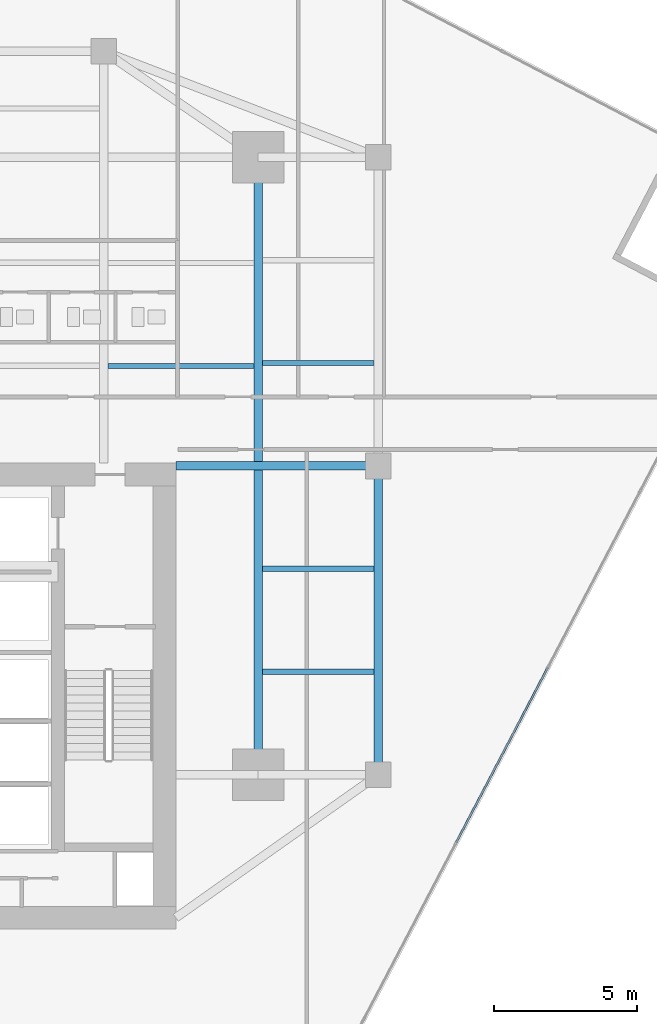
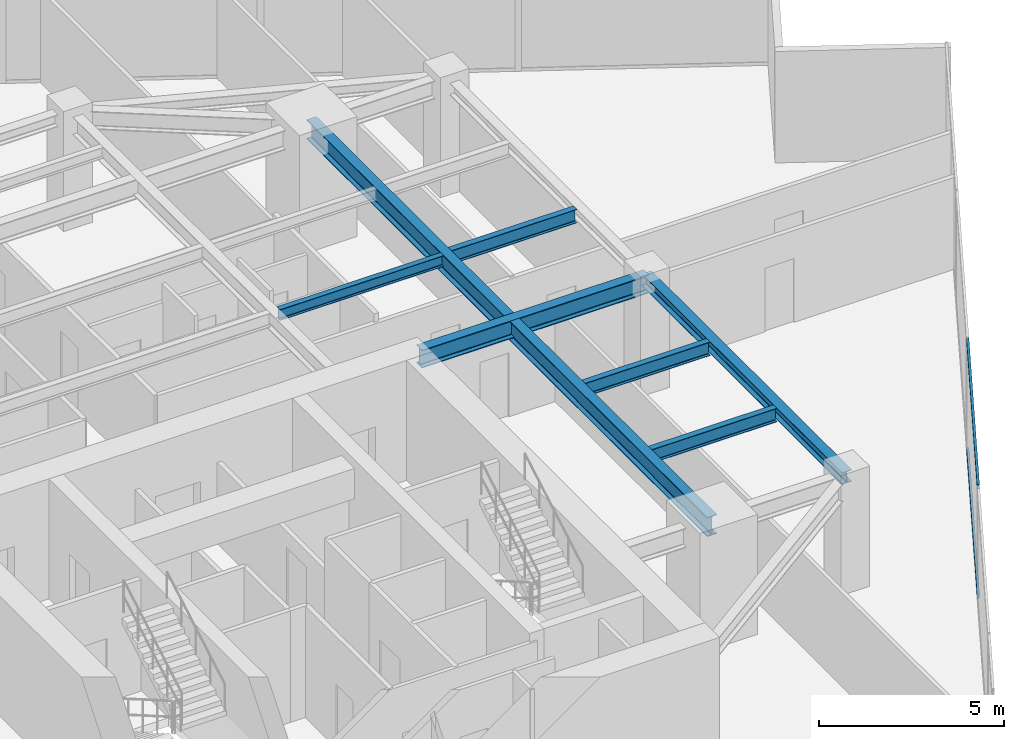
# One storey, part 11 of 27: 7 beams, 2 members, 1 element without a shape of its own.
"""IFC4 building model written with IfcOpenShell, lengths in metres."""

from ifc_helpers import new_model, si_unit, direction, frame, origin, origin_2d, place, context, subcontext, project, spatial, hollow_rectangle, i_section, extrude, source, transform, mapped, material, material_profile, profile_set, type_object, type_shapes, element, aggregate, save


model = new_model("IFC4")

# Units and contexts
model_context = context("Model", 3, precision=1e-05, world=origin(), true_north=direction((0.0, 1.0)))
body_context = subcontext(model_context, "Body", "Model", "MODEL_VIEW")
ifc_project = project(units=[si_unit("LENGTHUNIT", "METRE"), si_unit("AREAUNIT", "SQUARE_METRE"), si_unit("VOLUMEUNIT", "CUBIC_METRE"), si_unit("PLANEANGLEUNIT", "RADIAN"), si_unit("MASSUNIT", "GRAM", prefix="KILO")], contexts=[model_context])

# Site, building, storey
site_placement = place(None, origin())
site = spatial("IfcSite", under=ifc_project, at=site_placement, CompositionType="ELEMENT")
building_placement = place(site_placement, origin())
building = spatial("IfcBuilding", under=site, at=building_placement, Name="Krantzveldt Concourse Tower", CompositionType="ELEMENT")
storey_placement = place(building_placement, frame((0.0, 0.0, 154.10009765625)))
storey = spatial("IfcBuildingStorey", under=building, at=storey_placement, Name="L37", CompositionType="ELEMENT", Elevation=154.10009765625)

# Beams
ifc_material_1 = material(Name="Steel S355JR", Category="steel")
ifc_material_profile_1 = material_profile(ifc_material_1, i_section(OverallWidth=0.300048828125, OverallDepth=0.639892578125, WebThickness=0.013427734375, FlangeThickness=0.02587890625, FilletRadius=0.027099609375, at=origin_2d()), Name="Steel S355JR", Category="steel")
ifc_profile_set_1 = profile_set([ifc_material_profile_1], Name="Steel S355JR - HEA 650")
beam_type_1 = type_object("IfcBeamType", Name="BM-B-HEA650", PredefinedType="BEAM", material=ifc_profile_set_1)
shared_shape_1 = source(origin(), body_context, "Body", "SweptSolid", [
    extrude(i_section(OverallWidth=0.300048828125, OverallDepth=0.639892578125, WebThickness=0.013427734375, FlangeThickness=0.02587890625, FilletRadius=0.027099609375, at=origin_2d()), origin(), (0.0, 0.0, 1.0), 21.60009765625),
])
type_shapes(beam_type_1, [shared_shape_1])
beam_1_placement = place(storey_placement, frame((46.800048828125, 15.89990234375, 3.349853515625), z_axis=(0.0, 1.0, 0.0), x_axis=(-1.0, 0.0, 0.0)))
element("IfcBeam", 1, at=beam_1_placement, inside=storey, type_object=beam_type_1, Name="L37 Tower Girder BG-ME", PredefinedType="BEAM", context=body_context, shape_type="MappedRepresentation", body=[
    mapped(shared_shape_1, transform((0.0, 0.0, 0.0), x_axis=(1.0, 0.0, 0.0), y_axis=(0.0, 1.0, 0.0), z_axis=(0.0, 0.0, 1.0), scale=1.0)),
])
ifc_material_profile_2 = material_profile(ifc_material_1, i_section(OverallWidth=0.300048828125, OverallDepth=0.590087890625, WebThickness=0.012939453125, FlangeThickness=0.02490234375, FilletRadius=0.027099609375, at=origin_2d()), Name="Steel S355JR", Category="steel")
ifc_profile_set_2 = profile_set([ifc_material_profile_2], Name="Steel S355JR - HEA 600")
beam_type_2 = type_object("IfcBeamType", Name="BM-B-HEA600", PredefinedType="BEAM", material=ifc_profile_set_2)
shared_shape_2 = source(origin(), body_context, "Body", "SweptSolid", [
    extrude(i_section(OverallWidth=0.300048828125, OverallDepth=0.590087890625, WebThickness=0.012939453125, FlangeThickness=0.02490234375, FilletRadius=0.027099609375, at=origin_2d()), origin(), (0.0, 0.0, 1.0), 7.080078125),
])
type_shapes(beam_type_2, [shared_shape_2])
beam_2_placement = place(storey_placement, frame((43.919921875, 26.699951171875, 3.375), z_axis=(1.0, 0.0, 0.0), x_axis=(0.0, 1.0, 0.0)))
element("IfcBeam", 2, at=beam_2_placement, inside=storey, type_object=beam_type_2, Name="L37 Tower Girder BG-CE2", PredefinedType="BEAM", context=body_context, shape_type="MappedRepresentation", body=[
    mapped(shared_shape_2, transform((0.0, 0.0, 0.0), x_axis=(1.0, 0.0, 0.0), y_axis=(0.0, 1.0, 0.0), z_axis=(0.0, 0.0, 1.0), scale=1.0)),
])
ifc_material_profile_3 = material_profile(ifc_material_1, i_section(OverallWidth=0.300048828125, OverallDepth=0.389892578125, WebThickness=0.010986328125, FlangeThickness=0.01904296875, FilletRadius=0.027099609375, at=origin_2d()), Name="Steel S355JR", Category="steel")
ifc_profile_set_3 = profile_set([ifc_material_profile_3], Name="Steel S355JR - HEA 400")
beam_type_3 = type_object("IfcBeamType", Name="BM-SP-HEA400", PredefinedType="SPANDREL", material=ifc_profile_set_3)
shared_shape_3 = source(origin(), body_context, "Body", "SweptSolid", [
    extrude(i_section(OverallWidth=0.300048828125, OverallDepth=0.389892578125, WebThickness=0.010986328125, FlangeThickness=0.01904296875, FilletRadius=0.027099609375, at=origin_2d()), origin(), (0.0, 0.0, 1.0), 10.800048828125),
])
type_shapes(beam_type_3, [shared_shape_3])
beam_3_placement = place(storey_placement, frame((51.0, 26.699951171875, 3.474853515625), z_axis=(0.0, -1.0, 0.0), x_axis=(1.0, 0.0, 0.0)))
element("IfcBeam", 3, at=beam_3_placement, inside=storey, type_object=beam_type_3, Name="L37 Tower Girder SP-R07", PredefinedType="SPANDREL", context=body_context, shape_type="MappedRepresentation", body=[
    mapped(shared_shape_3, transform((0.0, 0.0, 0.0), x_axis=(1.0, 0.0, 0.0), y_axis=(0.0, 1.0, 0.0), z_axis=(0.0, 0.0, 1.0), scale=1.0)),
])
ifc_material_profile_4 = material_profile(ifc_material_1, i_section(OverallWidth=0.169921875, OverallDepth=0.360107421875, WebThickness=0.008056640625, FlangeThickness=0.0126953125, FilletRadius=0.01806640625, at=origin_2d()), Name="Steel S355JR", Category="steel")
ifc_profile_set_4 = profile_set([ifc_material_profile_4], Name="Steel S355JR - IPE 360")
beam_type_4 = type_object("IfcBeamType", Name="BM-J-IPE360", PredefinedType="JOIST", material=ifc_profile_set_4)
shared_shape_4 = source(origin(), body_context, "Body", "SweptSolid", [
    extrude(i_section(OverallWidth=0.169921875, OverallDepth=0.360107421875, WebThickness=0.008056640625, FlangeThickness=0.0126953125, FilletRadius=0.01806640625, at=origin_2d()), origin(), (0.0, 0.0, 1.0), 5.099853515625),
])
type_shapes(beam_type_4, [shared_shape_4])
beam_4_placement = place(storey_placement, frame((41.550048828125, 30.199951171875, 3.489990234375), z_axis=(1.0, 0.0, 0.0), x_axis=(0.0, 1.0, 0.0)))
element("IfcBeam", 4, at=beam_4_placement, inside=storey, type_object=beam_type_4, Name="L37 Secondary Floor Joist JN-E1", PredefinedType="JOIST", context=body_context, shape_type="MappedRepresentation", body=[
    mapped(shared_shape_4, transform((0.0, 0.0, 0.0), x_axis=(1.0, 0.0, 0.0), y_axis=(0.0, 1.0, 0.0), z_axis=(0.0, 0.0, 1.0), scale=1.0)),
])
ifc_material_profile_5 = material_profile(ifc_material_1, i_section(OverallWidth=0.18994140625, OverallDepth=0.449951171875, WebThickness=0.009521484375, FlangeThickness=0.0146484375, FilletRadius=0.02099609375, at=origin_2d()), Name="Steel S355JR", Category="steel")
ifc_profile_set_5 = profile_set([ifc_material_profile_5], Name="Steel S355JR - IPE 450")
beam_type_5 = type_object("IfcBeamType", Name="BM-J-IPE450", PredefinedType="JOIST", material=ifc_profile_set_5)
shared_shape_5 = source(origin(), body_context, "Body", "SweptSolid", [
    extrude(i_section(OverallWidth=0.18994140625, OverallDepth=0.449951171875, WebThickness=0.009521484375, FlangeThickness=0.0146484375, FilletRadius=0.02099609375, at=origin_2d()), origin(), (0.0, 0.0, 1.0), 3.900146484375),
])
type_shapes(beam_type_5, [shared_shape_5])
for number, where, z_axis, x_axis, name in (
    (5, (46.949951171875, 19.5, 3.44482421875), (1.0, 0.0, 0.0), (0.0, 1.0, 0.0), "L37 Secondary Floor Joist JE-1"),
    (6, (46.949951171875, 23.10009765625, 3.44482421875), (1.0, 0.0, 0.0), (0.0, 1.0, 0.0), "L37 Secondary Floor Joist JE-2"),
    (7, (46.949951171875, 30.300048828125, 3.44482421875), (1.0, 0.0, 0.0), (0.0, 1.0, 0.0), "L37 Secondary Floor Joist JE-3"),
):
    element("IfcBeam", number, at=place(storey_placement, frame(where, z_axis=z_axis, x_axis=x_axis)), inside=storey, type_object=beam_type_5, Name=name, PredefinedType="JOIST", context=body_context, shape_type="MappedRepresentation", body=[
        mapped(shared_shape_5, transform((0.0, 0.0, 0.0), x_axis=(1.0, 0.0, 0.0), y_axis=(0.0, 1.0, 0.0), z_axis=(0.0, 0.0, 1.0), scale=1.0)),
    ])

# Curtain wall, members
ifc_material_2 = material(Name="Anodised aluminium 6063-T6", Category="aluminium")
curtain_wall_type = type_object("IfcCurtainWallType", Name="CW3", PredefinedType="USERDEFINED", material=ifc_material_2)
curtain_wall_placement = place(storey_placement, origin())
curtain_wall = element("IfcCurtainWall", 8, at=curtain_wall_placement, inside=storey, type_object=curtain_wall_type, Name="CW-L37-F07", ObjectType="UNITISED CURTAIN WALL", PredefinedType="USERDEFINED")
ifc_material_profile_6 = material_profile(ifc_material_2, hollow_rectangle(XDim=0.070068359375, YDim=0.139892578125, WallThickness=0.0048828125, at=origin_2d()), Name="Anodised aluminium 6063-T6", Category="aluminium")
ifc_profile_set_6 = profile_set([ifc_material_profile_6], Name="Anodised aluminium 6063-T6 - ALU-TRAN 140x70x5")
member_type = type_object("IfcMemberType", Name="CW-TRN-150", PredefinedType="USERDEFINED", material=ifc_profile_set_6)
shared_shape_6 = source(origin(), body_context, "Body", "SweptSolid", [
    extrude(hollow_rectangle(XDim=0.070068359375, YDim=0.139892578125, WallThickness=0.0048828125, at=origin_2d()), origin(), (0.0, 0.0, 1.0), 6.889892578125),
])
type_shapes(member_type, [shared_shape_6])
member_1_placement = place(storey_placement, frame((53.726318359375, 13.534912109375, 0.034912109375), z_axis=(0.46369184059, 0.885996544559, 0.0), x_axis=(-0.885996544559, 0.46369184059, 0.0)))
member_1 = element("IfcMember", 9, at=member_1_placement, type_object=member_type, Name="CW-Z34 transom 3.1", ObjectType="TRANSOM", PredefinedType="USERDEFINED", context=body_context, shape_type="MappedRepresentation", body=[
    mapped(shared_shape_6, transform((0.0, 0.0, 0.0), x_axis=(1.0, 0.0, 0.0), y_axis=(0.0, 1.0, 0.0), z_axis=(0.0, 0.0, 1.0), scale=1.0)),
])
member_2_placement = place(storey_placement, frame((53.726318359375, 13.534912109375, 3.635009765625), z_axis=(0.46369184059, 0.885996544559, 0.0), x_axis=(-0.885996544559, 0.46369184059, 0.0)))
member_2 = element("IfcMember", 10, at=member_2_placement, type_object=member_type, Name="CW-Z34 transom 3.2", ObjectType="TRANSOM", PredefinedType="USERDEFINED", context=body_context, shape_type="MappedRepresentation", body=[
    mapped(shared_shape_6, transform((0.0, 0.0, 0.0), x_axis=(1.0, 0.0, 0.0), y_axis=(0.0, 1.0, 0.0), z_axis=(0.0, 0.0, 1.0), scale=1.0)),
])
aggregate(curtain_wall, [member_1, member_2])

save(model, "model.ifc")
